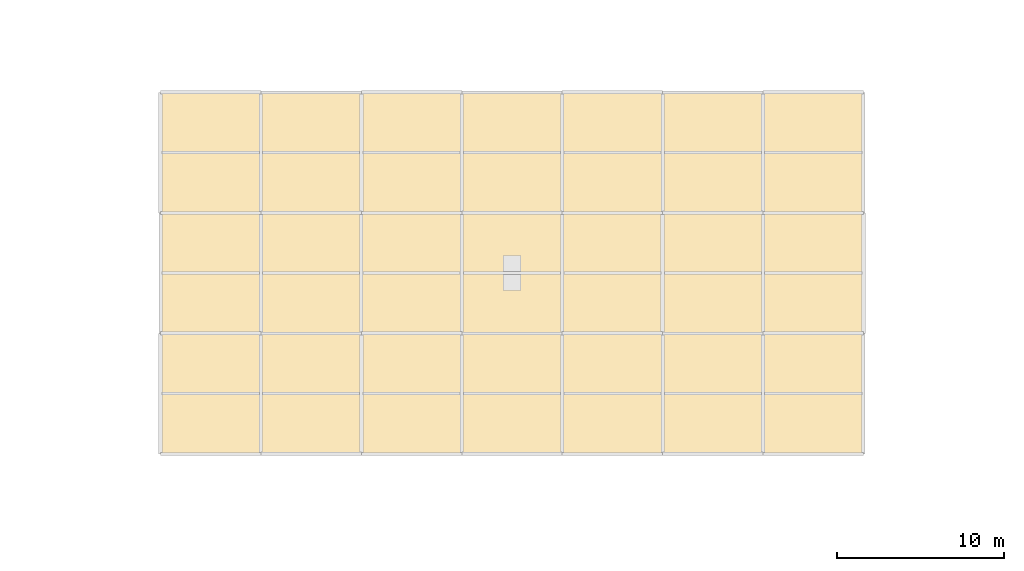
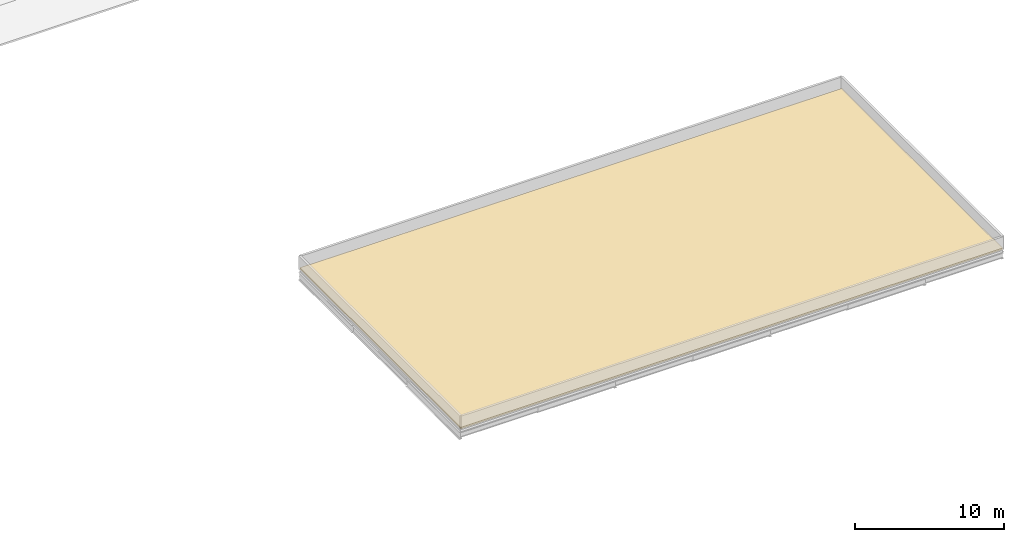
# One storey, part 19 of 19: 1 covering.
"""IFC4 building model written with IfcOpenShell, lengths in metres."""

from ifc_helpers import new_model, si_unit, direction, frame, origin, place, context, subcontext, project, spatial, polyline, outline, extrude, material, layer, layer_set, type_object, element, save


model = new_model("IFC4")

# Units and contexts
model_context = context("Model", 3, precision=1e-05, world=origin(), true_north=direction((0.0, 1.0)))
body_context = subcontext(model_context, "Body", "Model", "MODEL_VIEW")
ifc_project = project(units=[si_unit("LENGTHUNIT", "METRE"), si_unit("AREAUNIT", "SQUARE_METRE"), si_unit("VOLUMEUNIT", "CUBIC_METRE"), si_unit("PLANEANGLEUNIT", "RADIAN"), si_unit("MASSUNIT", "GRAM", prefix="KILO")], contexts=[model_context])

# Site, building, storey
site_placement = place(None, origin())
site = spatial("IfcSite", under=ifc_project, at=site_placement, CompositionType="ELEMENT")
building_placement = place(site_placement, origin())
building = spatial("IfcBuilding", under=site, at=building_placement, Name="Dunvalen Ferry Terminal", CompositionType="ELEMENT")
storey_placement = place(building_placement, frame((0.0, 0.0, 13.580078125)))
storey = spatial("IfcBuildingStorey", under=building, at=storey_placement, Name="L03", CompositionType="ELEMENT", Elevation=13.580078125)

# Covering
ifc_material = material(Name="Extensive coastal sedum green-roof build-up", Category="earth")
ifc_layer = layer(ifc_material, 0.1201171875, Name="Extensive coastal sedum green-roof build-up")
ifc_layer_set = layer_set([ifc_layer], Name="Extensive coastal sedum green-roof build-up")
covering_type = type_object("IfcCoveringType", Name="ENV-COV-GRN02", PredefinedType="ROOFING", material=ifc_layer_set)
covering_placement = place(storey_placement, origin())
element("IfcCovering", 1, at=covering_placement, inside=storey, type_object=covering_type, Name="L03 Promenade Pavilion Coastal Roof Covering", PredefinedType="ROOFING", context=body_context, shape_type="SweptSolid", body=[
    extrude(outline(polyline([(114.0, 14.39990234375), (156.0, 14.39990234375), (156.0, 36.0), (114.0, 36.0), (114.0, 14.39990234375)])), origin(), (0.0, 0.0, 1.0), 0.119873046875),
])

save(model, "model.ifc")
